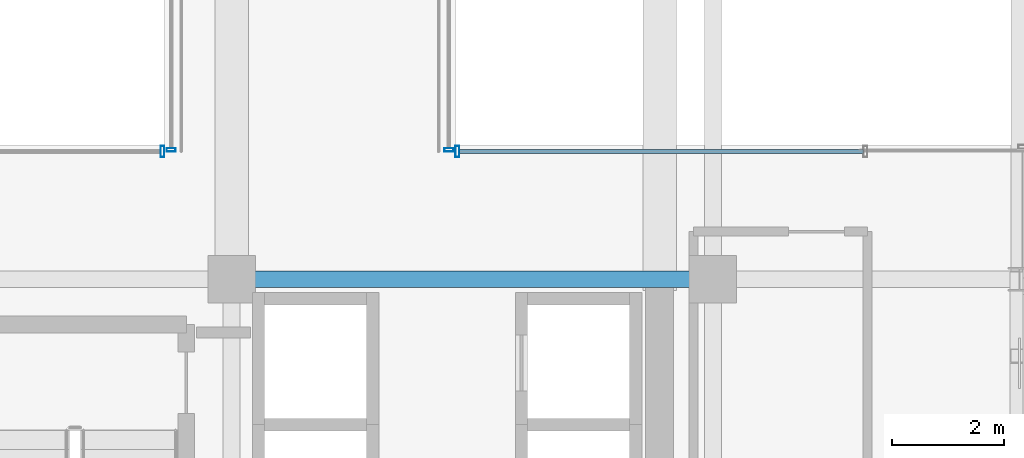
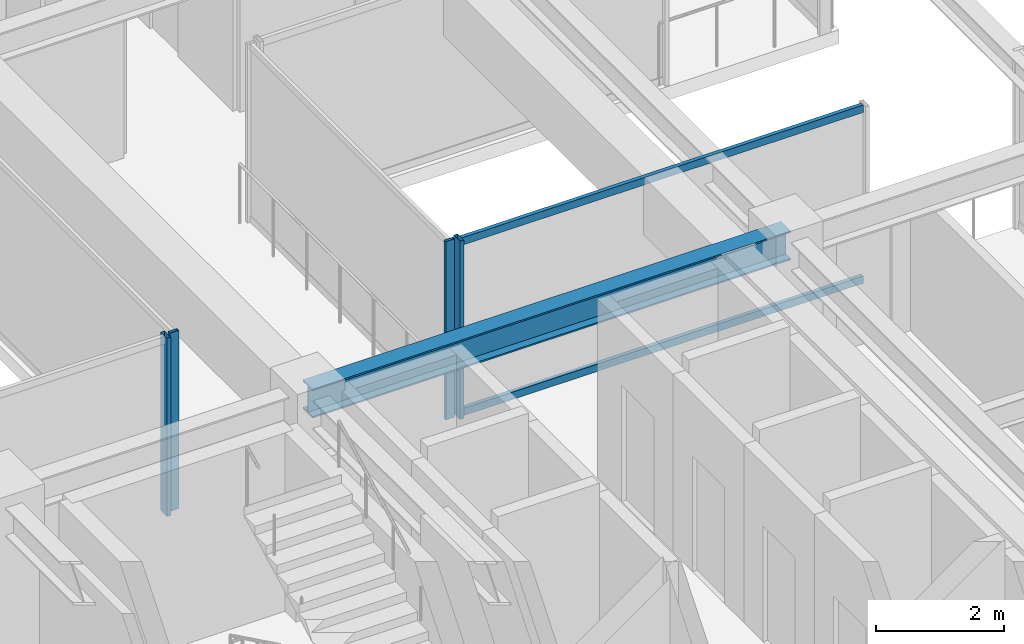
# One storey, part 15 of 35: 6 members, 1 beam, 4 elements without a shape of their own.
"""IFC4 building model written with IfcOpenShell, lengths in metres."""

from ifc_helpers import new_model, si_unit, direction, frame, origin, origin_2d, place, context, subcontext, project, spatial, hollow_rectangle, i_section, extrude, source, transform, mapped, material, material_profile, profile_set, type_object, element, aggregate, save


model = new_model("IFC4")

# Units and contexts
model_context = context("Model", 3, precision=1e-05, world=origin(), true_north=direction((0.0, 1.0)))
body_context = subcontext(model_context, "Body", "Model", "MODEL_VIEW")
ifc_project = project(units=[si_unit("LENGTHUNIT", "METRE"), si_unit("AREAUNIT", "SQUARE_METRE"), si_unit("VOLUMEUNIT", "CUBIC_METRE"), si_unit("PLANEANGLEUNIT", "RADIAN"), si_unit("MASSUNIT", "GRAM", prefix="KILO")], contexts=[model_context])

# Site, building, storey
site_placement = place(None, origin())
site = spatial("IfcSite", under=ifc_project, at=site_placement, CompositionType="ELEMENT")
building_placement = place(site_placement, origin())
building = spatial("IfcBuilding", under=site, at=building_placement, Name="Nahalor Promenade Grand Hotel", CompositionType="ELEMENT")
storey_placement = place(building_placement, frame((0.0, 0.0, 185.5)))
storey = spatial("IfcBuildingStorey", under=building, at=storey_placement, Name="L47", CompositionType="ELEMENT", Elevation=185.5)

# Beam
ifc_material_1 = material(Name="Steel S355JR", Category="steel")
ifc_material_profile_1 = material_profile(ifc_material_1, i_section(OverallWidth=0.3, OverallDepth=0.55, WebThickness=0.015, FlangeThickness=0.029, at=origin_2d()), Name="HEB 550")
ifc_profile_set_1 = profile_set([ifc_material_profile_1], Name="Steel S355JR")
beam_type = type_object("IfcBeamType", Name="Beam-Girder-HEB550", PredefinedType="BEAM", material=ifc_profile_set_1)
shared_shape_1 = source(origin(), body_context, "Body", "SweptSolid", [
    extrude(i_section(OverallWidth=0.3, OverallDepth=0.55, WebThickness=0.015, FlangeThickness=0.029, at=origin_2d()), origin(), (0.0, 0.0, 1.0), 8.60009765625),
])
beam_placement = place(storey_placement, frame((8.39990234375, -5.39990234375, 3.114990234375), z_axis=(1.0, 0.0, 0.0), x_axis=(0.0, 1.0, 0.0)))
element("IfcBeam", 1, at=beam_placement, inside=storey, type_object=beam_type, Name="BM-L47-GX-1-5", PredefinedType="BEAM", context=body_context, shape_type="MappedRepresentation", body=[
    mapped(shared_shape_1, transform((0.0, 0.0, 0.0), scale=1.0)),
])

# Curtain wall, members
ifc_material_2 = material(Name="Anodised Bronze Aluminium EN AW-6063 T6", Category="aluminium")
curtain_wall_type_1 = type_object("IfcCurtainWallType", Name="CW3 Elliptical-Void Collar Unitised Curtain Wall", PredefinedType="USERDEFINED", material=ifc_material_2)
curtain_wall_1_placement = place(storey_placement, origin())
curtain_wall_1 = element("IfcCurtainWall", 2, at=curtain_wall_1_placement, inside=storey, type_object=curtain_wall_type_1, Name="L47 Curtain Wall CW-L47-VOID-ES1", ObjectType="UNITISED_CURTAIN_WALL", PredefinedType="USERDEFINED")
ifc_material_profile_2 = material_profile(ifc_material_2, hollow_rectangle(XDim=0.07, YDim=0.14, WallThickness=0.004, at=origin_2d()), Name="CWT 70x140x4")
ifc_profile_set_2 = profile_set([ifc_material_profile_2], Name="Anodised Bronze Aluminium EN AW-6063 T6")
member_type_1 = type_object("IfcMemberType", Name="CWT3 Void Collar Transom 70x140", PredefinedType="USERDEFINED", material=ifc_profile_set_2)
shared_shape_2 = source(origin(), body_context, "Body", "SweptSolid", [
    extrude(hollow_rectangle(XDim=0.07, YDim=0.14, WallThickness=0.004, at=origin_2d()), origin(), (0.0, 0.0, 1.0), 7.219970703125),
])
member_1_placement = place(storey_placement, frame((12.469970703125, -3.118896484375, 0.070068359375), z_axis=(1.0, 0.0, 0.0), x_axis=(0.0, 1.0, 0.0)))
member_1 = element("IfcMember", 3, at=member_1_placement, type_object=member_type_1, Name="CW-L47-VOID-ES1 Transom 0-0", ObjectType="TRANSOM", PredefinedType="USERDEFINED", context=body_context, shape_type="MappedRepresentation", body=[
    mapped(shared_shape_2, transform((0.0, 0.0, 0.0), scale=1.0)),
])
member_2_placement = place(storey_placement, frame((12.469970703125, -3.118896484375, 3.320068359375), z_axis=(1.0, 0.0, 0.0), x_axis=(0.0, 1.0, 0.0)))
member_2 = element("IfcMember", 4, at=member_2_placement, type_object=member_type_1, Name="CW-L47-VOID-ES1 Transom 0-1", ObjectType="TRANSOM", PredefinedType="USERDEFINED", context=body_context, shape_type="MappedRepresentation", body=[
    mapped(shared_shape_2, transform((0.0, 0.0, 0.0), scale=1.0)),
])

# Curtain wall, member
curtain_wall_2_placement = place(storey_placement, origin())
curtain_wall_2 = element("IfcCurtainWall", 5, at=curtain_wall_2_placement, inside=storey, type_object=curtain_wall_type_1, Name="L47 Curtain Wall CW-L47-VOID-WS1", ObjectType="UNITISED_CURTAIN_WALL", PredefinedType="USERDEFINED")
ifc_material_profile_3 = material_profile(ifc_material_2, hollow_rectangle(XDim=0.07, YDim=0.2, WallThickness=0.005, at=origin_2d()), Name="CWM 70x200x5")
ifc_profile_set_3 = profile_set([ifc_material_profile_3], Name="Anodised Bronze Aluminium EN AW-6063 T6")
member_type_2 = type_object("IfcMemberType", Name="CWM3 Void Collar Mullion 70x200", PredefinedType="MULLION", material=ifc_profile_set_3)
shared_shape_3 = source(origin(), body_context, "Body", "SweptSolid", [
    extrude(hollow_rectangle(XDim=0.07, YDim=0.2, WallThickness=0.005, at=origin_2d()), origin(), (0.0, 0.0, 1.0), 3.389892578125),
])
member_3_placement = place(storey_placement, frame((7.1650390625, -3.118896484375, 0.0), z_axis=(0.0, 0.0, 1.0), x_axis=(1.0, 0.0, 0.0)))
member_3 = element("IfcMember", 6, at=member_3_placement, type_object=member_type_2, Name="CW-L47-VOID-WS1 Mullion 3", PredefinedType="MULLION", context=body_context, shape_type="MappedRepresentation", body=[
    mapped(shared_shape_3, transform((0.0, 0.0, 0.0), scale=1.0)),
])
aggregate(curtain_wall_2, [member_3])

# Member
member_4_placement = place(storey_placement, frame((12.43505859375, -3.118896484375, 0.0), z_axis=(0.0, 0.0, 1.0), x_axis=(1.0, 0.0, 0.0)))
member_4 = element("IfcMember", 7, at=member_4_placement, type_object=member_type_2, Name="CW-L47-VOID-ES1 Mullion 0", PredefinedType="MULLION", context=body_context, shape_type="MappedRepresentation", body=[
    mapped(shared_shape_3, transform((0.0, 0.0, 0.0), scale=1.0)),
])

aggregate(curtain_wall_1, [member_4, member_1, member_2])

# Curtain wall, member
curtain_wall_type_2 = type_object("IfcCurtainWallType", Name="CW4 Low-Iron Sky-Gallery Bridge Curtain Wall", PredefinedType="USERDEFINED", material=ifc_material_2)
curtain_wall_3_placement = place(storey_placement, origin())
curtain_wall_3 = element("IfcCurtainWall", 8, at=curtain_wall_3_placement, inside=storey, type_object=curtain_wall_type_2, Name="L47 Curtain Wall CW-L47-BRG-W", ObjectType="UNITISED_CURTAIN_WALL", PredefinedType="USERDEFINED")
ifc_material_profile_4 = material_profile(ifc_material_2, hollow_rectangle(XDim=0.06, YDim=0.16, WallThickness=0.004, at=origin_2d()), Name="CWM 60x160x4")
ifc_profile_set_4 = profile_set([ifc_material_profile_4], Name="Anodised Bronze Aluminium EN AW-6063 T6")
member_type_3 = type_object("IfcMemberType", Name="CWM4 Sky-Gallery Slim Mullion 60x160", PredefinedType="MULLION", material=ifc_profile_set_4)
shared_shape_4 = source(origin(), body_context, "Body", "SweptSolid", [
    extrude(hollow_rectangle(XDim=0.06, YDim=0.16, WallThickness=0.004, at=origin_2d()), origin(), (0.0, 0.0, 1.0), 3.389892578125),
])
member_5_placement = place(storey_placement, frame((7.320068359375, -3.089111328125, 0.0), z_axis=(0.0, 0.0, 1.0), x_axis=(0.0, 1.0, 0.0)))
member_5 = element("IfcMember", 9, at=member_5_placement, type_object=member_type_3, Name="CW-L47-BRG-W Mullion 0", PredefinedType="MULLION", context=body_context, shape_type="MappedRepresentation", body=[
    mapped(shared_shape_4, transform((0.0, 0.0, 0.0), scale=1.0)),
])
aggregate(curtain_wall_3, [member_5])

curtain_wall_4_placement = place(storey_placement, origin())
curtain_wall_4 = element("IfcCurtainWall", 10, at=curtain_wall_4_placement, inside=storey, type_object=curtain_wall_type_2, Name="L47 Curtain Wall CW-L47-BRG-E", ObjectType="UNITISED_CURTAIN_WALL", PredefinedType="USERDEFINED")
member_6_placement = place(storey_placement, frame((12.280029296875, -3.089111328125, 0.0), z_axis=(0.0, 0.0, 1.0), x_axis=(0.0, 1.0, 0.0)))
member_6 = element("IfcMember", 11, at=member_6_placement, type_object=member_type_3, Name="CW-L47-BRG-E Mullion 0", PredefinedType="MULLION", context=body_context, shape_type="MappedRepresentation", body=[
    mapped(shared_shape_4, transform((0.0, 0.0, 0.0), scale=1.0)),
])
aggregate(curtain_wall_4, [member_6])

save(model, "model.ifc")
